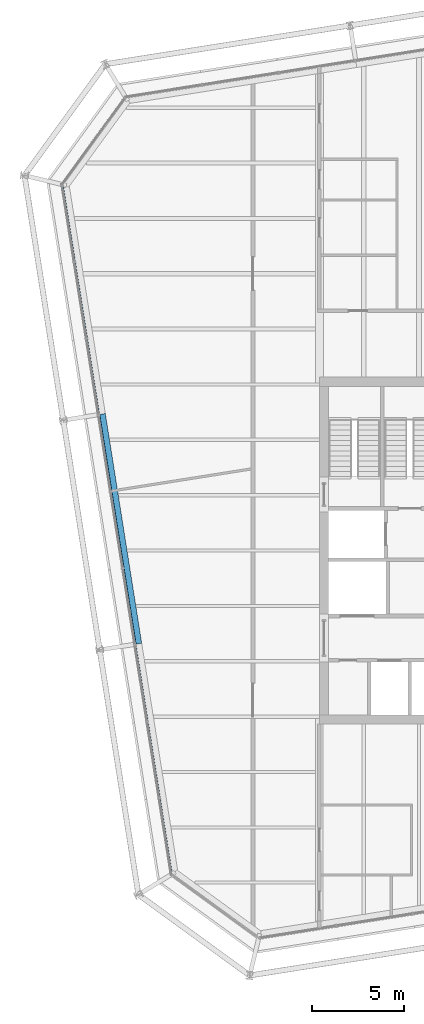
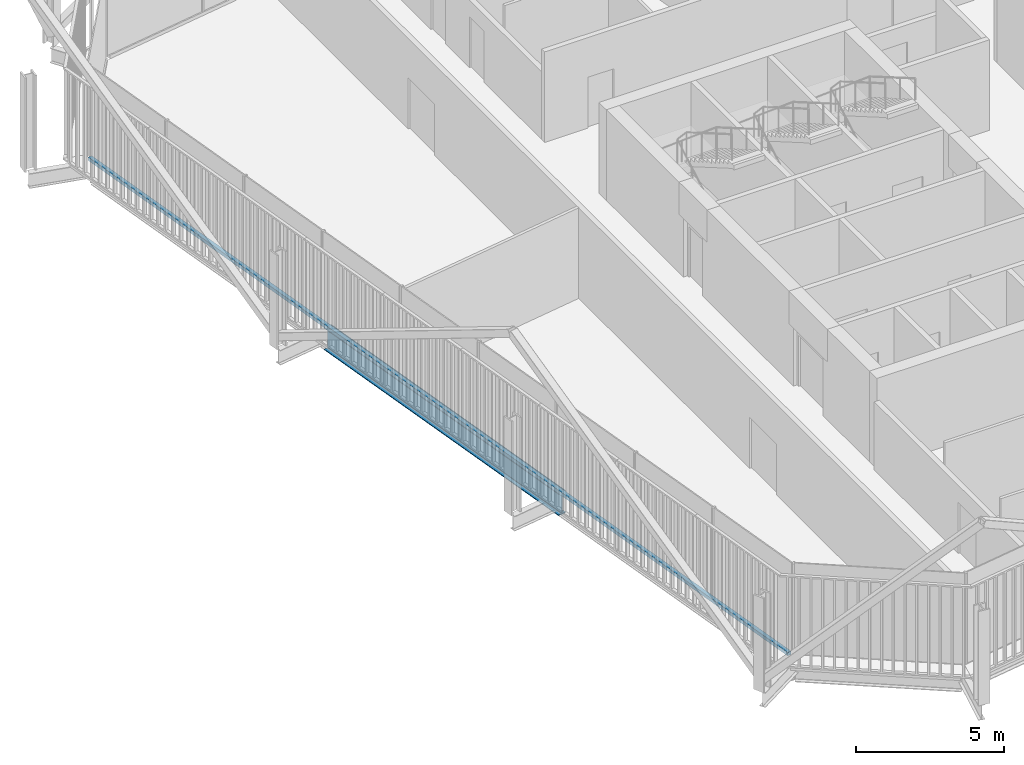
# One storey, part 6 of 21: 1 beam, 1 member, 1 element without a shape of its own.
"""IFC4 building model written with IfcOpenShell, lengths in metres."""

from ifc_helpers import new_model, si_unit, direction, frame, origin, origin_2d, place, context, subcontext, project, spatial, rectangle, i_section, extrude, material, layer, layer_set, material_profile, profile_set, type_object, element, aggregate, save


model = new_model("IFC4")

# Units and contexts
model_context = context("Model", 3, precision=1e-05, world=origin(), true_north=direction((0.0, 1.0)))
body_context = subcontext(model_context, "Body", "Model", "MODEL_VIEW")
ifc_project = project(units=[si_unit("LENGTHUNIT", "METRE"), si_unit("AREAUNIT", "SQUARE_METRE"), si_unit("VOLUMEUNIT", "CUBIC_METRE"), si_unit("PLANEANGLEUNIT", "RADIAN"), si_unit("MASSUNIT", "GRAM", prefix="KILO")], contexts=[model_context])

# Site, building, storey
site_placement = place(None, origin())
site = spatial("IfcSite", under=ifc_project, at=site_placement, CompositionType="ELEMENT")
building_placement = place(site_placement, origin())
building = spatial("IfcBuilding", under=site, at=building_placement, Name="Millrace Tower", CompositionType="ELEMENT")
storey_placement = place(building_placement, frame((0.0, 0.0, 220.300048828125)))
storey = spatial("IfcBuildingStorey", under=building, at=storey_placement, Name="L50", CompositionType="ELEMENT", Elevation=220.300048828125)

# Curtain wall, member
ifc_material_1 = material(Name="Aluminium and glass", Category="aluminium")
ifc_layer = layer(ifc_material_1, 0.14990234375)
ifc_layer_set = layer_set([ifc_layer], Name="Aluminium and glass")
curtain_wall_type = type_object("IfcCurtainWallType", Name="CW-1 office vision curtain wall", PredefinedType="NOTDEFINED", material=ifc_layer_set)
curtain_wall_placement = place(storey_placement, origin())
curtain_wall = element("IfcCurtainWall", 1, at=curtain_wall_placement, inside=storey, type_object=curtain_wall_type, Name="Curtain wall D-F08 L50", PredefinedType="NOTDEFINED")
ifc_material_2 = material(Name="Aluminium", Category="aluminium")
ifc_material_profile_1 = material_profile(ifc_material_2, rectangle(XDim=0.14990234375, YDim=0.139892578125, at=origin_2d()))
ifc_profile_set_1 = profile_set([ifc_material_profile_1], Name="Aluminium")
member_type = type_object("IfcMemberType", Name="CW-1 office vision curtain wall transom", PredefinedType="USERDEFINED", material=ifc_profile_set_1)
member_placement = place(storey_placement, frame((-28.331787109375, 19.708740234375, 0.070068359375), z_axis=(0.156432359726, -0.987688674042, 0.0), x_axis=(0.987688674042, 0.156432359726, 0.0)))
member = element("IfcMember", 2, at=member_placement, type_object=member_type, Name="CW1 transom D-F08.1", ObjectType="TRANSOM", PredefinedType="USERDEFINED", context=body_context, shape_type="SweptSolid", body=[
    extrude(rectangle(XDim=0.14990234375, YDim=0.139892578125, at=origin_2d()), origin(), (0.0, 0.0, 1.0), 37.599853515625),
])
aggregate(curtain_wall, [member])

# Beam
ifc_material_3 = material(Name="Steel ASTM A992 Grade 50", Category="steel")
ifc_material_profile_2 = material_profile(ifc_material_3, i_section(OverallWidth=0.307373046875, OverallDepth=0.927001953125, WebThickness=0.01953125, FlangeThickness=0.031982421875, FilletRadius=0.01904296875, at=origin_2d()))
ifc_profile_set_2 = profile_set([ifc_material_profile_2], Name="Steel ASTM A992 Grade 50")
beam_type = type_object("IfcBeamType", Name="Ring beam medium span W36x194", PredefinedType="SPANDREL", material=ifc_profile_set_2)
beam_placement = place(storey_placement, frame((-24.179443359375, -5.04638671875, -0.62353515625), z_axis=(-0.1564441342, 0.987686809102, 0.0), x_axis=(-0.987686809102, -0.1564441342, 0.0)))
element("IfcBeam", 3, at=beam_placement, inside=storey, type_object=beam_type, Name="RNG-D-L50-S1-02", PredefinedType="SPANDREL", context=body_context, shape_type="SweptSolid", body=[
    extrude(i_section(OverallWidth=0.307373046875, OverallDepth=0.927001953125, WebThickness=0.01953125, FlangeThickness=0.031982421875, FilletRadius=0.01904296875, at=origin_2d()), origin(), (0.0, 0.0, 1.0), 12.599853515625),
])

save(model, "model.ifc")
